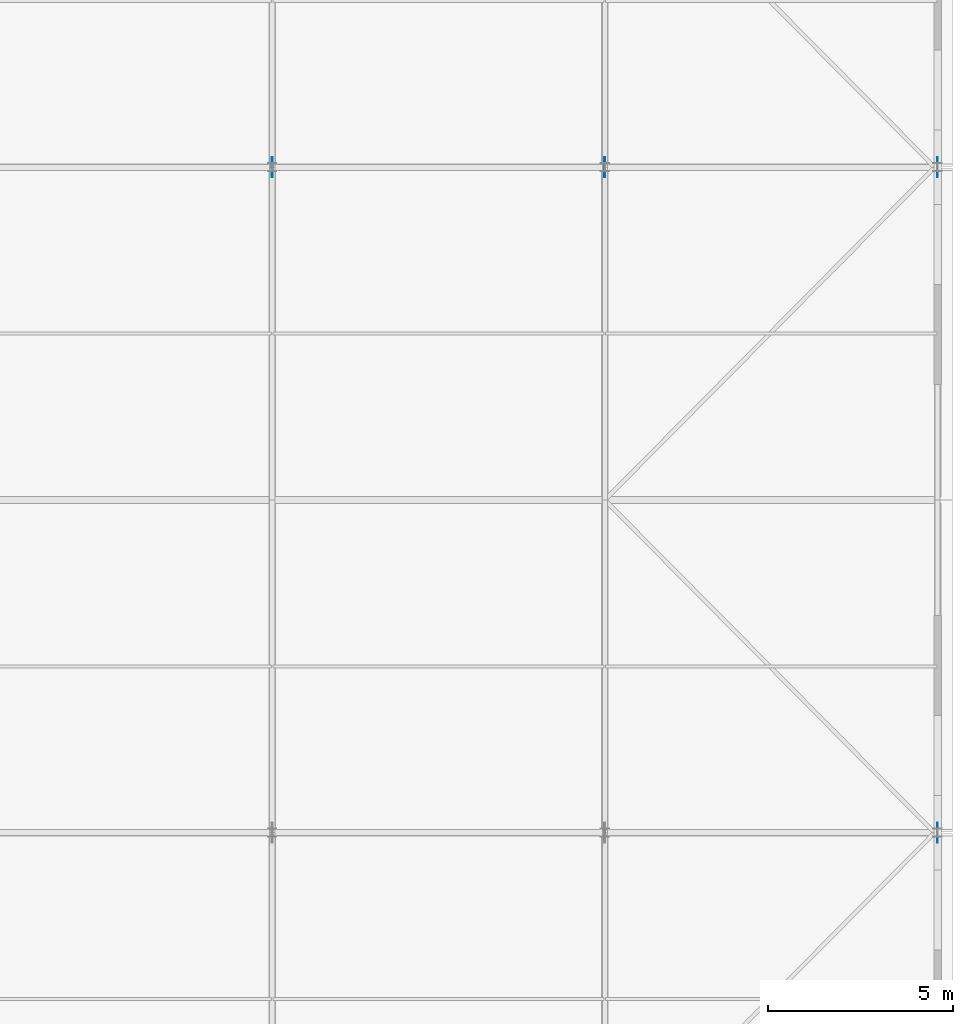
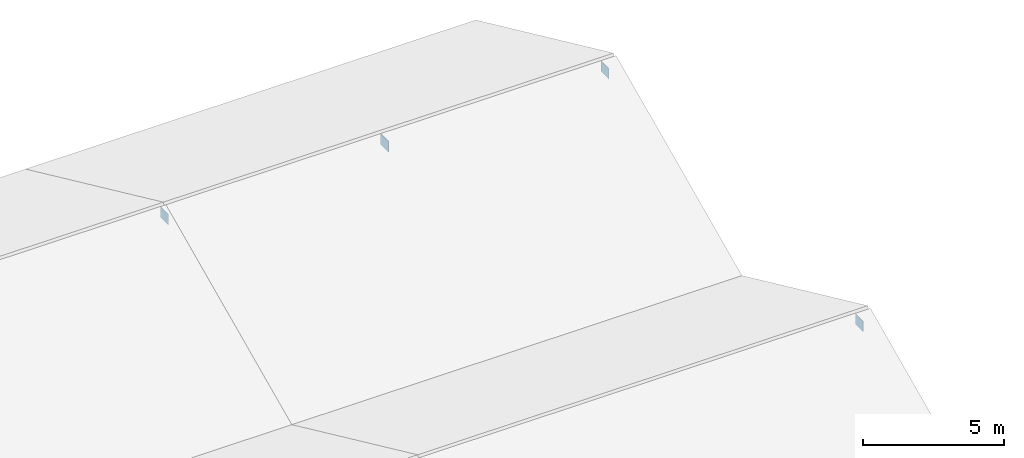
# One storey, part 147 of 163: 4 plates.
"""IFC4 building model written with IfcOpenShell, lengths in metres."""

from ifc_helpers import new_model, si_unit, direction, frame, origin, origin_2d, place, context, subcontext, project, spatial, rectangle, extrude, material, layer, layer_set, type_object, element, save


model = new_model("IFC4")

# Units and contexts
model_context = context("Model", 3, precision=1e-05, world=origin(), true_north=direction((0.0, 1.0)))
body_context = subcontext(model_context, "Body", "Model", "MODEL_VIEW")
ifc_project = project(units=[si_unit("LENGTHUNIT", "METRE"), si_unit("AREAUNIT", "SQUARE_METRE"), si_unit("VOLUMEUNIT", "CUBIC_METRE"), si_unit("PLANEANGLEUNIT", "RADIAN"), si_unit("MASSUNIT", "GRAM", prefix="KILO")], contexts=[model_context])

# Site, building, storey
site_placement = place(None, origin())
site = spatial("IfcSite", under=ifc_project, at=site_placement, CompositionType="ELEMENT")
building_placement = place(site_placement, origin())
building = spatial("IfcBuilding", under=site, at=building_placement, Name="Tharagai Park Tramway Depot", CompositionType="ELEMENT")
storey_placement = place(building_placement, frame((0.0, 0.0, 8.39990234375)))
storey = spatial("IfcBuildingStorey", under=building, at=storey_placement, Name="L02", CompositionType="ELEMENT", Elevation=8.39990234375)

# Plates
ifc_material = material(Name="Steel E350", Category="steel")
ifc_layer_1 = layer(ifc_material, 0.02392578125)
ifc_layer_set_1 = layer_set([ifc_layer_1], Name="Steel E350")
plate_type_1 = type_object("IfcPlateType", Name="GP-02", PredefinedType="SHEET", material=ifc_layer_set_1)
plate_placement = place(storey_placement, frame((207.0, 126.0, 3.3447265625), z_axis=(0.0, 0.0, 1.0), x_axis=(1.0, 0.0, 0.0)))
element("IfcPlate", 1, at=plate_placement, inside=storey, type_object=plate_type_1, Name="V3B2 Ridge Gusset Plate GP-02", PredefinedType="SHEET", context=body_context, shape_type="SweptSolid", body=[
    extrude(rectangle(XDim=0.02392578125, YDim=0.550048828125, at=origin_2d()), origin(), (0.0, 0.0, 1.0), 0.449951171875),
])
ifc_layer_2 = layer(ifc_material, 0.01611328125)
ifc_layer_set_2 = layer_set([ifc_layer_2], Name="Steel E350")
plate_type_2 = type_object("IfcPlateType", Name="GP-03", PredefinedType="SHEET", material=ifc_layer_set_2)
for number, where, z_axis, x_axis, name in (
    (2, (216.0, 108.0, 3.3447265625), (0.0, 0.0, 1.0), (1.0, 0.0, 0.0), "V3B1 Ridge Gusset Plate GP-03"),
    (3, (198.0, 126.0, 3.3447265625), (0.0, 0.0, 1.0), (1.0, 0.0, 0.0), "V3B2 Ridge Gusset Plate GP-03"),
    (4, (216.0, 126.0, 3.3447265625), (0.0, 0.0, 1.0), (1.0, 0.0, 0.0), "V3B2 Ridge Gusset Plate GP-03"),
):
    element("IfcPlate", number, at=place(storey_placement, frame(where, z_axis=z_axis, x_axis=x_axis)), inside=storey, type_object=plate_type_2, Name=name, PredefinedType="SHEET", context=body_context, shape_type="SweptSolid", body=[
        extrude(rectangle(XDim=0.01611328125, YDim=0.550048828125, at=origin_2d()), origin(), (0.0, 0.0, 1.0), 0.449951171875),
    ])

save(model, "model.ifc")
